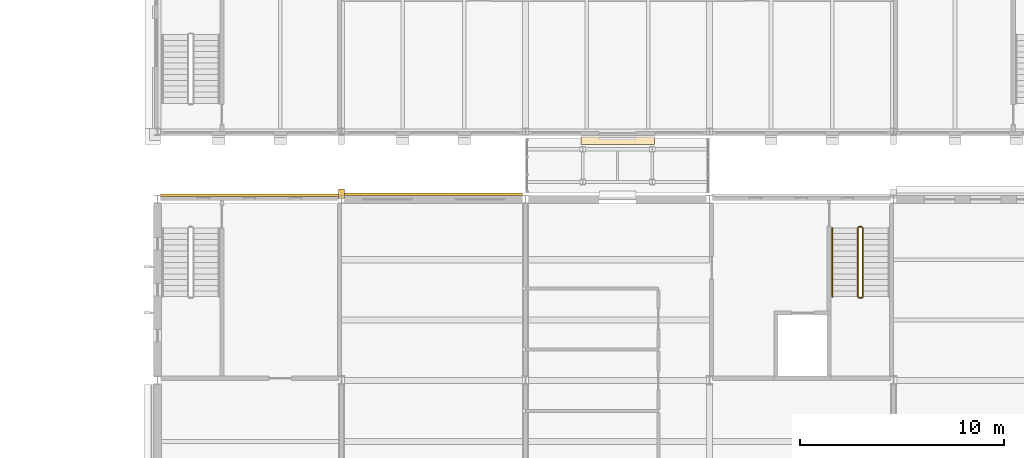
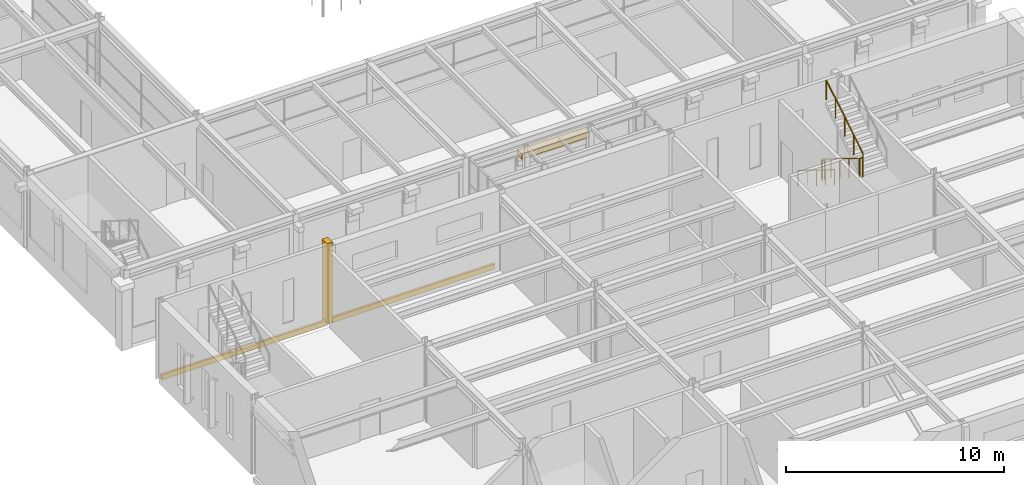
# One storey, part 135 of 153: 5 railings, 4 coverings.
"""IFC4 building model written with IfcOpenShell, lengths in metres."""

import ifcopenshell
import ifcopenshell.guid

model = None  # the IFC model being written
_history = None  # IfcOwnerHistory: only IFC2X3 demands one
_inside = {}  # id of a spatial element -> (the spatial element, [elements in it])
_under = {}  # id of a project, library or spatial element -> (it, [spatial elements below it])
_declared = {}  # id of a project -> (the project, [libraries it declares])
_typed = {}  # id of a type object -> (the type object, [elements of that type])
_made_of = {}  # id of a material, layer set ... -> (it, [elements and type objects made of it])


def new_model(schema):
    """Start an empty IFC model of exactly this schema.

    Asked for "IFC4X3", IfcOpenShell would pick the latest addendum, in which some entities
    have other attributes; the version numbers below select the first issue.
    IFC2X3 requires an IfcOwnerHistory on every rooted entity: one is made here for all.
    """
    global model, _history
    if schema == "IFC4X3":
        model = ifcopenshell.file(schema_version=(4, 3, 0, 0))
    else:
        model = ifcopenshell.file(schema=schema)
    _inside.clear()
    _under.clear()
    _declared.clear()
    _typed.clear()
    _made_of.clear()
    _history = None
    if model.schema == "IFC2X3":
        org = make("IfcOrganization", Name="unknown")
        user = make(
            "IfcPersonAndOrganization",
            ThePerson=make("IfcPerson", FamilyName="unknown"),
            TheOrganization=org,
        )
        app = make(
            "IfcApplication",
            ApplicationDeveloper=org,
            Version="unknown",
            ApplicationFullName="unknown",
            ApplicationIdentifier="unknown",
        )
        _history = make(
            "IfcOwnerHistory",
            OwningUser=user,
            OwningApplication=app,
            ChangeAction="ADDED",
            CreationDate=0,
        )
    return model


def make(cls, **values):
    """One entity of the class cls with the attributes given. An attribute that is None is left unset."""
    return model.create_entity(
        cls, **{name: value for name, value in values.items() if value is not None}
    )


def rooted(cls, **values):
    """An entity with a GlobalId (a new one), such as an element, a storey or a relation."""
    return make(cls, GlobalId=ifcopenshell.guid.new(), OwnerHistory=_history, **values)


def si_unit(unit_type, name, prefix=None):
    """IfcSIUnit, for example si_unit("LENGTHUNIT", "METRE", prefix="MILLI")."""
    return make("IfcSIUnit", UnitType=unit_type, Prefix=prefix, Name=name)


def assignment(units):
    """IfcUnitAssignment: the units of a project."""
    return None if units is None else make("IfcUnitAssignment", Units=units)


def point(xyz):
    """IfcCartesianPoint."""
    return None if xyz is None else make("IfcCartesianPoint", Coordinates=xyz)


def direction(xyz):
    """IfcDirection."""
    return None if xyz is None else make("IfcDirection", DirectionRatios=xyz)


def frame(location, z_axis=None, x_axis=None):
    """IfcAxis2Placement3D, a coordinate frame: its origin and axes. An axis left out is left unset."""
    return make(
        "IfcAxis2Placement3D",
        Location=point(location),
        Axis=direction(z_axis),
        RefDirection=direction(x_axis),
    )


def frame_2d(location, x_axis=None):
    """IfcAxis2Placement2D, a coordinate frame in the plane: its origin and x axis."""
    return make(
        "IfcAxis2Placement2D", Location=point(location), RefDirection=direction(x_axis)
    )


def origin():
    """The frame at (0, 0, 0) with its axes left unset."""
    return frame((0.0, 0.0, 0.0))


def origin_2d():
    """The frame at (0, 0) in the plane with its x axis left unset."""
    return frame_2d((0.0, 0.0))


def place(relative_to, where):
    """IfcLocalPlacement: puts the frame where relative to a parent placement (None: the world)."""
    return make(
        "IfcLocalPlacement", PlacementRelTo=relative_to, RelativePlacement=where
    )


def context(
    kind, dimensions, precision=None, world=None, true_north=None, identifier=None
):
    """IfcGeometricRepresentationContext, for example the 3D "Model" context."""
    return make(
        "IfcGeometricRepresentationContext",
        ContextIdentifier=identifier,
        ContextType=kind,
        CoordinateSpaceDimension=dimensions,
        Precision=precision,
        WorldCoordinateSystem=world,
        TrueNorth=true_north,
    )


def subcontext(parent, identifier, kind, view, scale=None):
    """IfcGeometricRepresentationSubContext, for example "Body" below "Model"."""
    return make(
        "IfcGeometricRepresentationSubContext",
        ContextIdentifier=identifier,
        ContextType=kind,
        ParentContext=parent,
        TargetScale=scale,
        TargetView=view,
    )


def project(units=None, contexts=None):
    """IfcProject with its units and contexts."""
    return rooted(
        "IfcProject",
        Name="project",
        RepresentationContexts=contexts,
        UnitsInContext=assignment(units),
    )


def spatial(cls, under=None, at=None, **own):
    """A site, building, storey or space (cls), placed at a placement, below another one or the project."""
    s = rooted(cls, ObjectPlacement=at, **own)
    if under is not None:
        _under.setdefault(under.id(), (under, []))[1].append(s)
    return s


def profile(cls, at=None, kind="AREA", **sizes):
    """A parametric profile (cls). Its sizes go by their IFC names, for example OverallWidth=200.0."""
    return make(cls, ProfileType=kind, Position=at, **sizes)


def rectangle(**sizes):
    """IfcRectangleProfileDef."""
    return profile("IfcRectangleProfileDef", **sizes)


def circle(**sizes):
    """IfcCircleProfileDef."""
    return profile("IfcCircleProfileDef", **sizes)


def extrude(swept, where, along, depth):
    """IfcExtrudedAreaSolid: the profile swept, set in the frame where, extruded along a direction by depth."""
    return make(
        "IfcExtrudedAreaSolid",
        SweptArea=swept,
        Position=where,
        ExtrudedDirection=direction(along),
        Depth=depth,
    )


def shape(context_of_items, identifier, shape_type, items):
    """IfcShapeRepresentation: the items that make up one representation, for example the "Body"."""
    return make(
        "IfcShapeRepresentation",
        ContextOfItems=context_of_items,
        RepresentationIdentifier=identifier,
        RepresentationType=shape_type,
        Items=items,
    )


def material(Name=None, Category=None):
    """IfcMaterial."""
    return make("IfcMaterial", Name=Name, Category=Category)


def layer(
    of_material, thickness, ventilated=None, Name=None, Category=None, Priority=None
):
    """IfcMaterialLayer: one layer of a wall or slab, of a material (None: an air gap)."""
    return make(
        "IfcMaterialLayer",
        Material=of_material,
        LayerThickness=thickness,
        IsVentilated=ventilated,
        Name=Name,
        Category=Category,
        Priority=Priority,
    )


def layer_set(layers, Name=None):
    """IfcMaterialLayerSet."""
    return make("IfcMaterialLayerSet", MaterialLayers=layers, LayerSetName=Name)


def made_of(thing, what):
    """Note that an element or type object is made of a material, layer set ...; save() writes the relation."""
    if what is not None:
        _made_of.setdefault(what.id(), (what, []))[1].append(thing)
    return thing


def type_object(cls, material=None, **own):
    """A type object (cls), such as IfcWallType, which elements share."""
    return made_of(rooted(cls, **own), material)


def element(
    cls,
    number,
    at=None,
    inside=None,
    cuts=None,
    type_object=None,
    material=None,
    context=None,
    identifier="Body",
    shape_type=None,
    held_by="IfcProductDefinitionShape",
    body=None,
    shapes=None,
    **own,
):
    """One element of the class cls, such as IfcWall. Its Tag is "e" and its number.

    at: its placement. inside: the storey or other place that contains it. cuts: it is an
    opening in that element (IfcRelVoidsElement). A single representation is given by context,
    identifier, shape_type and body (its items); several are given by shapes. held_by: the class
    of the entity that holds the representations. save() writes the other relations.
    """
    e = rooted(cls, Tag="e%d" % number, ObjectPlacement=at, **own)
    if body is not None:
        shapes = [shape(context, identifier, shape_type, body)]
    if shapes is not None:
        e.Representation = make(held_by, Representations=shapes)
    if inside is not None:
        _inside.setdefault(inside.id(), (inside, []))[1].append(e)
    if cuts is not None:
        rooted(
            "IfcRelVoidsElement", RelatingBuildingElement=cuts, RelatedOpeningElement=e
        )
    if type_object is not None:
        _typed.setdefault(type_object.id(), (type_object, []))[1].append(e)
    return made_of(e, material)


def aggregate(whole, parts):
    """IfcRelAggregates: a whole, such as a stair, and the parts it consists of."""
    return rooted("IfcRelAggregates", RelatingObject=whole, RelatedObjects=parts)


def save(model, path):
    """Write the relations noted so far, then the file.

    IfcRelAggregates (storeys below a building ...), IfcRelContainedInSpatialStructure (elements
    in a storey), IfcRelDefinesByType, IfcRelAssociatesMaterial and IfcRelDeclares: one each for
    every whole, place, type object, material and project.
    """
    for whole, parts in _under.values():
        aggregate(whole, parts)
    for where, things in _inside.values():
        rooted(
            "IfcRelContainedInSpatialStructure",
            RelatedElements=things,
            RelatingStructure=where,
        )
    for kind, things in _typed.values():
        rooted("IfcRelDefinesByType", RelatedObjects=things, RelatingType=kind)
    for what, things in _made_of.values():
        rooted("IfcRelAssociatesMaterial", RelatedObjects=things, RelatingMaterial=what)
    for by, libraries in _declared.values():
        rooted("IfcRelDeclares", RelatingContext=by, RelatedDefinitions=libraries)
    model.write(path)


model = new_model("IFC4")

# Units and contexts
model_context = context("Model", 3, precision=1e-05, world=origin(), true_north=direction((0.0, 1.0)))
body_context = subcontext(model_context, "Body", "Model", "MODEL_VIEW")
ifc_project = project(units=[si_unit("LENGTHUNIT", "METRE"), si_unit("AREAUNIT", "SQUARE_METRE"), si_unit("VOLUMEUNIT", "CUBIC_METRE"), si_unit("PLANEANGLEUNIT", "RADIAN"), si_unit("MASSUNIT", "GRAM", prefix="KILO")], contexts=[model_context])

# Site, building, storey
site_placement = place(None, origin())
site = spatial("IfcSite", under=ifc_project, at=site_placement, CompositionType="ELEMENT")
building_placement = place(site_placement, origin())
building = spatial("IfcBuilding", under=site, at=building_placement, Name="Kallimachos Central Library", CompositionType="ELEMENT")
storey_placement = place(building_placement, frame((0.0, 0.0, 5.39990234375)))
storey = spatial("IfcBuildingStorey", under=building, at=storey_placement, Name="L01", CompositionType="ELEMENT", Elevation=5.39990234375)

# Railing
ifc_material_1 = material(Name="Steel S355J2", Category="steel")
railing_type_1 = type_object("IfcRailingType", Name="Stair handrail 900", PredefinedType="HANDRAIL", material=ifc_material_1)
railing_1_placement = place(storey_placement, frame((98.5, 43.449951171875, 0.173095703125)))
element("IfcRailing", 1, at=railing_1_placement, inside=storey, type_object=railing_type_1, Name="L01 ST14 stair handrail 1", PredefinedType="HANDRAIL", context=body_context, shape_type="SweptSolid", body=[
    extrude(circle(Radius=0.02392578125, at=origin_2d()), frame((0.0, 0.0, 0.8759765625), z_axis=(0.0, -0.850606129759, 0.525803396734), x_axis=(1.0, 0.0, 0.0)), (0.0, 0.0, 1.0), 3.949951171875),
    extrude(circle(Radius=0.02099609375, at=origin_2d()), origin(), (0.0, 0.0, 1.0), 0.851806640625),
    extrude(circle(Radius=0.02099609375, at=origin_2d()), frame((0.0, -0.83984375, 0.519287109375)), (0.0, 0.0, 1.0), 0.851806640625),
    extrude(circle(Radius=0.02099609375, at=origin_2d()), frame((0.0, -1.679931640625, 1.03857421875)), (0.0, 0.0, 1.0), 0.851806640625),
    extrude(circle(Radius=0.02099609375, at=origin_2d()), frame((0.0, -2.52001953125, 1.5576171875)), (0.0, 0.0, 1.0), 0.851806640625),
    extrude(circle(Radius=0.02099609375, at=origin_2d()), frame((0.0, -3.35986328125, 2.076904296875)), (0.0, 0.0, 1.0), 0.851806640625),
])

# Coverings
ifc_material_2 = material(Name="Pentelic marble cornice", Category="masonry")
ifc_layer_1 = layer(ifc_material_2, 0.449951171875)
ifc_layer_set_1 = layer_set([ifc_layer_1], Name="Stone cornice 450")
covering_type_1 = type_object("IfcCoveringType", Name="Stone cornice 450", PredefinedType="MOLDING", material=ifc_layer_set_1)
covering_1_placement = place(storey_placement, frame((88.0, 47.7548828125, 3.5), z_axis=(0.0, 0.0, 1.0), x_axis=(1.0, 0.0, 0.0)))
element("IfcCovering", 2, at=covering_1_placement, inside=storey, type_object=covering_type_1, Name="Stone cornice 450 -L01-017", PredefinedType="MOLDING", context=body_context, shape_type="SweptSolid", body=[
    extrude(rectangle(XDim=3.60009765625, YDim=0.449951171875, at=origin_2d()), origin(), (0.0, 0.0, 1.0), 0.300048828125),
])
ifc_material_3 = material(Name="Pentelic marble pilaster", Category="masonry")
ifc_layer_2 = layer(ifc_material_3, 0.25)
ifc_layer_set_2 = layer_set([ifc_layer_2], Name="Stone pilaster 250")
covering_type_2 = type_object("IfcCoveringType", Name="Stone pilaster 250", PredefinedType="CLADDING", material=ifc_layer_set_2)
covering_2_placement = place(storey_placement, frame((74.5, 45.125, 0.0), z_axis=(0.0, 0.0, 1.0), x_axis=(1.0, 0.0, 0.0)))
element("IfcCovering", 3, at=covering_2_placement, inside=storey, type_object=covering_type_2, Name="Stone pilaster 250 -L01-015", PredefinedType="CLADDING", context=body_context, shape_type="SweptSolid", body=[
    extrude(rectangle(XDim=0.300048828125, YDim=0.449951171875, at=origin_2d()), origin(), (0.0, 0.0, 1.0), 4.5),
])
ifc_material_4 = material(Name="Pentelic marble string course", Category="masonry")
ifc_layer_3 = layer(ifc_material_4, 0.1201171875)
ifc_layer_set_3 = layer_set([ifc_layer_3], Name="Stone string course 300")
covering_type_3 = type_object("IfcCoveringType", Name="Stone string course 300", PredefinedType="MOLDING", material=ifc_layer_set_3)
for number, where, z_axis, x_axis, name in (
    (4, (70.0, 45.06005859375, -0.14990234375), (0.0, 0.0, 1.0), (1.0, 0.0, 0.0), "Stone string course 300 -L01-015"),
    (5, (79.0, 45.110107421875, -0.14990234375), (0.0, 0.0, 1.0), (1.0, 0.0, 0.0), "Stone string course 300 -L01-016"),
):
    element("IfcCovering", number, at=place(storey_placement, frame(where, z_axis=z_axis, x_axis=x_axis)), inside=storey, type_object=covering_type_3, Name=name, PredefinedType="MOLDING", context=body_context, shape_type="SweptSolid", body=[
        extrude(rectangle(XDim=8.699951171875, YDim=0.1201171875, at=origin_2d()), origin(), (0.0, 0.0, 1.0), 0.300048828125),
    ])

# Railings
ifc_material_5 = material(Name="Steel S355J2", Category="steel")
railing_type_2 = type_object("IfcRailingType", Name="Wrought-iron guard 1100", PredefinedType="GUARDRAIL", material=ifc_material_5)
railing_2_placement = place(storey_placement, frame((99.75, 43.449951171875, 0.173095703125)))
element("IfcRailing", 6, at=railing_2_placement, inside=storey, type_object=railing_type_2, Name="L01 ST14 stair guard 1", PredefinedType="GUARDRAIL", context=body_context, shape_type="SweptSolid", body=[
    extrude(circle(Radius=0.02392578125, at=origin_2d()), frame((0.0, 0.0, 1.076171875), z_axis=(0.0, -0.850606129759, 0.525803396734), x_axis=(1.0, 0.0, 0.0)), (0.0, 0.0, 1.0), 3.949951171875),
    extrude(circle(Radius=0.02099609375, at=origin_2d()), origin(), (0.0, 0.0, 1.0), 1.052001953125),
    extrude(circle(Radius=0.02099609375, at=origin_2d()), frame((0.0, -0.83984375, 0.519287109375)), (0.0, 0.0, 1.0), 1.052001953125),
    extrude(circle(Radius=0.02099609375, at=origin_2d()), frame((0.0, -1.679931640625, 1.03857421875)), (0.0, 0.0, 1.0), 1.052001953125),
    extrude(circle(Radius=0.02099609375, at=origin_2d()), frame((0.0, -2.52001953125, 1.5576171875)), (0.0, 0.0, 1.0), 1.052001953125),
    extrude(circle(Radius=0.02099609375, at=origin_2d()), frame((0.0, -3.35986328125, 2.076904296875)), (0.0, 0.0, 1.0), 1.052001953125),
])
railing_3_placement = place(storey_placement, frame((99.800048828125, 40.0400390625, 2.25)))
element("IfcRailing", 7, at=railing_3_placement, inside=storey, type_object=railing_type_2, Name="L01 ST14 stair guard 2", PredefinedType="GUARDRAIL", context=body_context, shape_type="SweptSolid", body=[
    extrude(circle(Radius=0.02392578125, at=origin_2d()), frame((0.0, 0.0, 1.076171875), z_axis=(1.0, 0.0, 0.0), x_axis=(0.0, 1.0, 0.0)), (0.0, 0.0, 1.0), 0.14990234375),
    extrude(circle(Radius=0.02099609375, at=origin_2d()), origin(), (0.0, 0.0, 1.0), 1.052001953125),
    extrude(circle(Radius=0.02099609375, at=origin_2d()), frame((0.14990234375, 0.0, 0.0)), (0.0, 0.0, 1.0), 1.052001953125),
])
railing_4_placement = place(storey_placement, frame((100.0, 40.090087890625, 2.423095703125)))
element("IfcRailing", 8, at=railing_4_placement, inside=storey, type_object=railing_type_2, Name="L01 ST14 stair guard 3", PredefinedType="GUARDRAIL", context=body_context, shape_type="SweptSolid", body=[
    extrude(circle(Radius=0.02392578125, at=origin_2d()), frame((0.0, 0.0, 1.076171875), z_axis=(0.0, 0.850606129759, 0.525803396734), x_axis=(-1.0, 0.0, 0.0)), (0.0, 0.0, 1.0), 3.949951171875),
    extrude(circle(Radius=0.02099609375, at=origin_2d()), origin(), (0.0, 0.0, 1.0), 1.052001953125),
    extrude(circle(Radius=0.02099609375, at=origin_2d()), frame((0.0, 0.83984375, 0.519287109375)), (0.0, 0.0, 1.0), 1.052001953125),
    extrude(circle(Radius=0.02099609375, at=origin_2d()), frame((0.0, 1.679931640625, 1.03857421875)), (0.0, 0.0, 1.0), 1.052001953125),
    extrude(circle(Radius=0.02099609375, at=origin_2d()), frame((0.0, 2.52001953125, 1.5576171875)), (0.0, 0.0, 1.0), 1.052001953125),
    extrude(circle(Radius=0.02099609375, at=origin_2d()), frame((0.0, 3.35986328125, 2.076904296875)), (0.0, 0.0, 1.0), 1.052001953125),
])
railing_5_placement = place(storey_placement, frame((99.800048828125, 43.5, 0.0)))
element("IfcRailing", 9, at=railing_5_placement, inside=storey, type_object=railing_type_2, Name="L01 ST14 stair guard 4", PredefinedType="GUARDRAIL", context=body_context, shape_type="SweptSolid", body=[
    extrude(circle(Radius=0.02392578125, at=origin_2d()), frame((0.0, 0.0, 1.076171875), z_axis=(1.0, 0.0, 0.0), x_axis=(0.0, 1.0, 0.0)), (0.0, 0.0, 1.0), 0.14990234375),
    extrude(circle(Radius=0.02099609375, at=origin_2d()), origin(), (0.0, 0.0, 1.0), 1.052001953125),
    extrude(circle(Radius=0.02099609375, at=origin_2d()), frame((0.14990234375, 0.0, 0.0)), (0.0, 0.0, 1.0), 1.052001953125),
])

save(model, "model.ifc")
